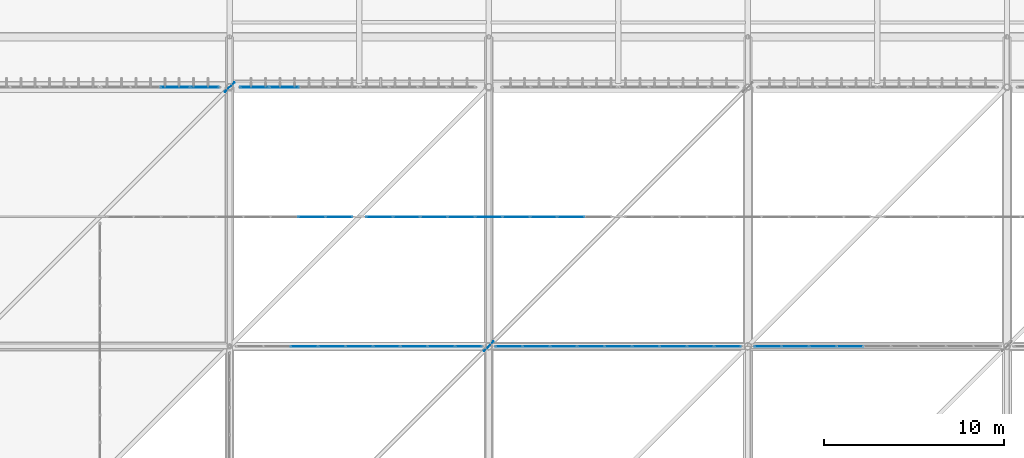
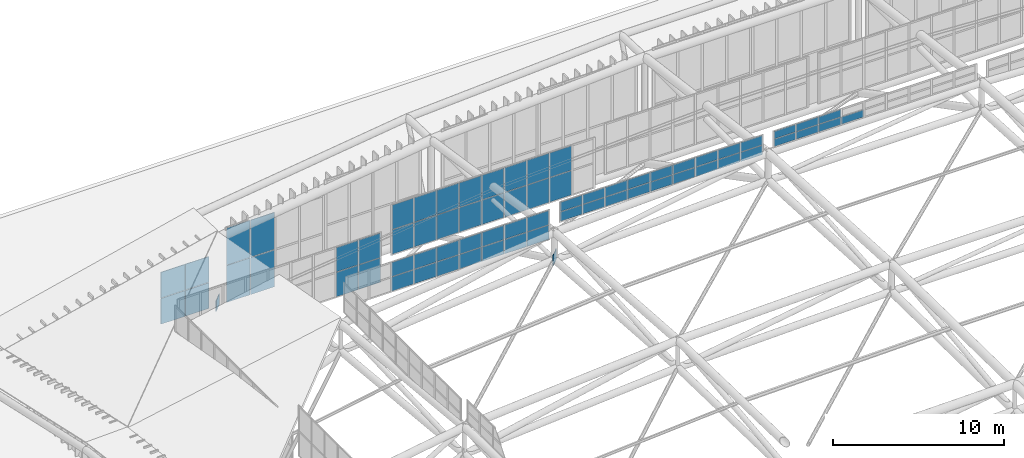
# One storey, part 376 of 397: 69 plates, 7 elements without a shape of their own.
"""IFC4 building model written with IfcOpenShell, lengths in metres."""

from ifc_helpers import new_model, si_unit, direction, frame, origin, origin_2d, place, context, subcontext, project, spatial, rectangle, extrude, material, layer, layer_set, type_object, element, aggregate, save


model = new_model("IFC4")

# Units and contexts
model_context = context("Model", 3, precision=1e-05, world=origin(), true_north=direction((0.0, 1.0)))
body_context = subcontext(model_context, "Body", "Model", "MODEL_VIEW")
ifc_project = project(units=[si_unit("LENGTHUNIT", "METRE"), si_unit("AREAUNIT", "SQUARE_METRE"), si_unit("VOLUMEUNIT", "CUBIC_METRE"), si_unit("PLANEANGLEUNIT", "RADIAN"), si_unit("MASSUNIT", "GRAM", prefix="KILO")], contexts=[model_context])

# Site, building, storey
site_placement = place(None, origin())
site = spatial("IfcSite", under=ifc_project, at=site_placement, CompositionType="ELEMENT")
building_placement = place(site_placement, origin())
building = spatial("IfcBuilding", under=site, at=building_placement, Name="Qandorah Velis Arena", CompositionType="ELEMENT")
storey_placement = place(building_placement, frame((0.0, 0.0, 27.5)))
storey = spatial("IfcBuildingStorey", under=building, at=storey_placement, Name="RF", CompositionType="ELEMENT", Elevation=27.5)

# Curtain wall, plates
ifc_material_1 = material(Name="Solar-control low-E double glazing", Category="glass")
curtain_wall_type_1 = type_object("IfcCurtainWallType", Name="ARC-CW-SYS01", PredefinedType="USERDEFINED", material=ifc_material_1)
curtain_wall_1_placement = place(storey_placement, origin())
curtain_wall_1 = element("IfcCurtainWall", 1, at=curtain_wall_1_placement, inside=storey, type_object=curtain_wall_type_1, Name="Unitised curtain wall MON-4-1", ObjectType="UNITISED CURTAIN WALL", PredefinedType="USERDEFINED")
ifc_layer_1 = layer(ifc_material_1, 0.030029296875)
ifc_layer_set_1 = layer_set([ifc_layer_1], Name="Solar-control low-E double glazing")
plate_type_1 = type_object("IfcPlateType", Name="ARC-CWP-GLZ30", PredefinedType="CURTAIN_PANEL", material=ifc_layer_set_1)
plate_1_placement = place(storey_placement, frame((33.36669921875, 108.0, 3.685546875), z_axis=(0.0, 0.0, 1.0), x_axis=(1.0, 0.0, 0.0)))
plate_1 = element("IfcPlate", 2, at=plate_1_placement, type_object=plate_type_1, Name="CW01 panel 8.1", PredefinedType="CURTAIN_PANEL", context=body_context, shape_type="SweptSolid", body=[
    extrude(rectangle(XDim=1.4873046875, YDim=0.030029296875, at=origin_2d()), origin(), (0.0, 0.0, 1.0), 1.737548828125),
])
plate_2_placement = place(storey_placement, frame((33.36669921875, 108.0, 5.45849609375), z_axis=(0.0, 0.0, 1.0), x_axis=(1.0, 0.0, 0.0)))
plate_2 = element("IfcPlate", 3, at=plate_2_placement, type_object=plate_type_1, Name="CW01 panel 8.2", PredefinedType="CURTAIN_PANEL", context=body_context, shape_type="SweptSolid", body=[
    extrude(rectangle(XDim=1.4873046875, YDim=0.030029296875, at=origin_2d()), origin(), (0.0, 0.0, 1.0), 1.737548828125),
])
plate_3_placement = place(storey_placement, frame((34.875244140625, 108.0, 3.685546875), z_axis=(0.0, 0.0, 1.0), x_axis=(1.0, 0.0, 0.0)))
plate_3 = element("IfcPlate", 4, at=plate_3_placement, type_object=plate_type_1, Name="CW01 panel 9.1", PredefinedType="CURTAIN_PANEL", context=body_context, shape_type="SweptSolid", body=[
    extrude(rectangle(XDim=1.459716796875, YDim=0.030029296875, at=origin_2d()), origin(), (0.0, 0.0, 1.0), 1.737548828125),
])
plate_4_placement = place(storey_placement, frame((34.875244140625, 108.0, 5.45849609375), z_axis=(0.0, 0.0, 1.0), x_axis=(1.0, 0.0, 0.0)))
plate_4 = element("IfcPlate", 5, at=plate_4_placement, type_object=plate_type_1, Name="CW01 panel 9.2", PredefinedType="CURTAIN_PANEL", context=body_context, shape_type="SweptSolid", body=[
    extrude(rectangle(XDim=1.459716796875, YDim=0.030029296875, at=origin_2d()), origin(), (0.0, 0.0, 1.0), 1.737548828125),
])
aggregate(curtain_wall_1, [plate_1, plate_2, plate_3, plate_4])

curtain_wall_type_2 = type_object("IfcCurtainWallType", Name="ARC-CW-SYS02", PredefinedType="USERDEFINED", material=ifc_material_1)
curtain_wall_2_placement = place(storey_placement, origin())
curtain_wall_2 = element("IfcCurtainWall", 6, at=curtain_wall_2_placement, inside=storey, type_object=curtain_wall_type_2, Name="Unitised curtain wall MON-4-2", ObjectType="UNITISED CURTAIN WALL", PredefinedType="USERDEFINED")
plate_5_placement = place(storey_placement, frame((37.124755859375, 108.0, 5.3974609375), z_axis=(0.0, 0.0, 1.0), x_axis=(1.0, 0.0, 0.0)))
plate_5 = element("IfcPlate", 7, at=plate_5_placement, type_object=plate_type_1, Name="CW02 panel 1.1", PredefinedType="CURTAIN_PANEL", context=body_context, shape_type="SweptSolid", body=[
    extrude(rectangle(XDim=1.459716796875, YDim=0.030029296875, at=origin_2d()), origin(), (0.0, 0.0, 1.0), 1.737548828125),
])
plate_6_placement = place(storey_placement, frame((37.124755859375, 108.0, 7.17041015625), z_axis=(0.0, 0.0, 1.0), x_axis=(1.0, 0.0, 0.0)))
plate_6 = element("IfcPlate", 8, at=plate_6_placement, type_object=plate_type_1, Name="CW02 panel 1.2", PredefinedType="CURTAIN_PANEL", context=body_context, shape_type="SweptSolid", body=[
    extrude(rectangle(XDim=1.459716796875, YDim=0.030029296875, at=origin_2d()), origin(), (0.0, 0.0, 1.0), 1.737548828125),
])
plate_7_placement = place(storey_placement, frame((38.63330078125, 108.0, 5.3974609375), z_axis=(0.0, 0.0, 1.0), x_axis=(1.0, 0.0, 0.0)))
plate_7 = element("IfcPlate", 9, at=plate_7_placement, type_object=plate_type_1, Name="CW02 panel 2.1", PredefinedType="CURTAIN_PANEL", context=body_context, shape_type="SweptSolid", body=[
    extrude(rectangle(XDim=1.4873046875, YDim=0.030029296875, at=origin_2d()), origin(), (0.0, 0.0, 1.0), 1.737548828125),
])
plate_8_placement = place(storey_placement, frame((38.63330078125, 108.0, 7.17041015625), z_axis=(0.0, 0.0, 1.0), x_axis=(1.0, 0.0, 0.0)))
plate_8 = element("IfcPlate", 10, at=plate_8_placement, type_object=plate_type_1, Name="CW02 panel 2.2", PredefinedType="CURTAIN_PANEL", context=body_context, shape_type="SweptSolid", body=[
    extrude(rectangle(XDim=1.4873046875, YDim=0.030029296875, at=origin_2d()), origin(), (0.0, 0.0, 1.0), 1.737548828125),
])
plate_9_placement = place(storey_placement, frame((40.155517578125, 108.0, 5.3974609375), z_axis=(0.0, 0.0, 1.0), x_axis=(1.0, 0.0, 0.0)))
plate_9 = element("IfcPlate", 11, at=plate_9_placement, type_object=plate_type_1, Name="CW02 panel 3.1", PredefinedType="CURTAIN_PANEL", context=body_context, shape_type="SweptSolid", body=[
    extrude(rectangle(XDim=1.4873046875, YDim=0.030029296875, at=origin_2d()), origin(), (0.0, 0.0, 1.0), 1.737548828125),
])
plate_10_placement = place(storey_placement, frame((40.155517578125, 108.0, 7.17041015625), z_axis=(0.0, 0.0, 1.0), x_axis=(1.0, 0.0, 0.0)))
plate_10 = element("IfcPlate", 12, at=plate_10_placement, type_object=plate_type_1, Name="CW02 panel 3.2", PredefinedType="CURTAIN_PANEL", context=body_context, shape_type="SweptSolid", body=[
    extrude(rectangle(XDim=1.4873046875, YDim=0.030029296875, at=origin_2d()), origin(), (0.0, 0.0, 1.0), 1.737548828125),
])
plate_11_placement = place(storey_placement, frame((41.677734375, 108.0, 5.3974609375), z_axis=(0.0, 0.0, 1.0), x_axis=(1.0, 0.0, 0.0)))
plate_11 = element("IfcPlate", 13, at=plate_11_placement, type_object=plate_type_1, Name="CW02 panel 4.1", PredefinedType="CURTAIN_PANEL", context=body_context, shape_type="SweptSolid", body=[
    extrude(rectangle(XDim=1.4873046875, YDim=0.030029296875, at=origin_2d()), origin(), (0.0, 0.0, 1.0), 1.737548828125),
])
plate_12_placement = place(storey_placement, frame((41.677734375, 108.0, 7.17041015625), z_axis=(0.0, 0.0, 1.0), x_axis=(1.0, 0.0, 0.0)))
plate_12 = element("IfcPlate", 14, at=plate_12_placement, type_object=plate_type_1, Name="CW02 panel 4.2", PredefinedType="CURTAIN_PANEL", context=body_context, shape_type="SweptSolid", body=[
    extrude(rectangle(XDim=1.4873046875, YDim=0.030029296875, at=origin_2d()), origin(), (0.0, 0.0, 1.0), 1.737548828125),
])
plate_13_placement = place(storey_placement, frame((43.199951171875, 108.0, 5.3974609375), z_axis=(0.0, 0.0, 1.0), x_axis=(1.0, 0.0, 0.0)))
plate_13 = element("IfcPlate", 15, at=plate_13_placement, type_object=plate_type_1, Name="CW02 panel 5.1", PredefinedType="CURTAIN_PANEL", context=body_context, shape_type="SweptSolid", body=[
    extrude(rectangle(XDim=1.4873046875, YDim=0.030029296875, at=origin_2d()), origin(), (0.0, 0.0, 1.0), 1.737548828125),
])
plate_14_placement = place(storey_placement, frame((43.199951171875, 108.0, 7.17041015625), z_axis=(0.0, 0.0, 1.0), x_axis=(1.0, 0.0, 0.0)))
plate_14 = element("IfcPlate", 16, at=plate_14_placement, type_object=plate_type_1, Name="CW02 panel 5.2", PredefinedType="CURTAIN_PANEL", context=body_context, shape_type="SweptSolid", body=[
    extrude(rectangle(XDim=1.4873046875, YDim=0.030029296875, at=origin_2d()), origin(), (0.0, 0.0, 1.0), 1.737548828125),
])
plate_15_placement = place(storey_placement, frame((44.72216796875, 108.0, 5.3974609375), z_axis=(0.0, 0.0, 1.0), x_axis=(1.0, 0.0, 0.0)))
plate_15 = element("IfcPlate", 17, at=plate_15_placement, type_object=plate_type_1, Name="CW02 panel 6.1", PredefinedType="CURTAIN_PANEL", context=body_context, shape_type="SweptSolid", body=[
    extrude(rectangle(XDim=1.4873046875, YDim=0.030029296875, at=origin_2d()), origin(), (0.0, 0.0, 1.0), 1.737548828125),
])
plate_16_placement = place(storey_placement, frame((44.72216796875, 108.0, 7.17041015625), z_axis=(0.0, 0.0, 1.0), x_axis=(1.0, 0.0, 0.0)))
plate_16 = element("IfcPlate", 18, at=plate_16_placement, type_object=plate_type_1, Name="CW02 panel 6.2", PredefinedType="CURTAIN_PANEL", context=body_context, shape_type="SweptSolid", body=[
    extrude(rectangle(XDim=1.4873046875, YDim=0.030029296875, at=origin_2d()), origin(), (0.0, 0.0, 1.0), 1.737548828125),
])
plate_17_placement = place(storey_placement, frame((46.244384765625, 108.0, 5.3974609375), z_axis=(0.0, 0.0, 1.0), x_axis=(1.0, 0.0, 0.0)))
plate_17 = element("IfcPlate", 19, at=plate_17_placement, type_object=plate_type_1, Name="CW02 panel 7.1", PredefinedType="CURTAIN_PANEL", context=body_context, shape_type="SweptSolid", body=[
    extrude(rectangle(XDim=1.4873046875, YDim=0.030029296875, at=origin_2d()), origin(), (0.0, 0.0, 1.0), 1.737548828125),
])
plate_18_placement = place(storey_placement, frame((46.244384765625, 108.0, 7.17041015625), z_axis=(0.0, 0.0, 1.0), x_axis=(1.0, 0.0, 0.0)))
plate_18 = element("IfcPlate", 20, at=plate_18_placement, type_object=plate_type_1, Name="CW02 panel 7.2", PredefinedType="CURTAIN_PANEL", context=body_context, shape_type="SweptSolid", body=[
    extrude(rectangle(XDim=1.4873046875, YDim=0.030029296875, at=origin_2d()), origin(), (0.0, 0.0, 1.0), 1.737548828125),
])
plate_19_placement = place(storey_placement, frame((47.7666015625, 108.0, 5.3974609375), z_axis=(0.0, 0.0, 1.0), x_axis=(1.0, 0.0, 0.0)))
plate_19 = element("IfcPlate", 21, at=plate_19_placement, type_object=plate_type_1, Name="CW02 panel 8.1", PredefinedType="CURTAIN_PANEL", context=body_context, shape_type="SweptSolid", body=[
    extrude(rectangle(XDim=1.4873046875, YDim=0.030029296875, at=origin_2d()), origin(), (0.0, 0.0, 1.0), 1.737548828125),
])
plate_20_placement = place(storey_placement, frame((47.7666015625, 108.0, 7.17041015625), z_axis=(0.0, 0.0, 1.0), x_axis=(1.0, 0.0, 0.0)))
plate_20 = element("IfcPlate", 22, at=plate_20_placement, type_object=plate_type_1, Name="CW02 panel 8.2", PredefinedType="CURTAIN_PANEL", context=body_context, shape_type="SweptSolid", body=[
    extrude(rectangle(XDim=1.4873046875, YDim=0.030029296875, at=origin_2d()), origin(), (0.0, 0.0, 1.0), 1.737548828125),
])
aggregate(curtain_wall_2, [plate_5, plate_6, plate_7, plate_8, plate_9, plate_10, plate_11, plate_12, plate_13, plate_14, plate_15, plate_16, plate_17, plate_18, plate_19, plate_20])

curtain_wall_type_3 = type_object("IfcCurtainWallType", Name="ARC-CW-SYS21", PredefinedType="USERDEFINED", material=ifc_material_1)
curtain_wall_3_placement = place(storey_placement, origin())
curtain_wall_3 = element("IfcCurtainWall", 23, at=curtain_wall_3_placement, inside=storey, type_object=curtain_wall_type_3, Name="Unitised curtain wall OCULUS-4-1", ObjectType="UNITISED CURTAIN WALL", PredefinedType="USERDEFINED")
plate_21_placement = place(storey_placement, frame((32.95556640625, 100.800048828125, 8.59521484375), z_axis=(0.0, 0.0, 1.0), x_axis=(1.0, 0.0, 0.0)))
plate_21 = element("IfcPlate", 24, at=plate_21_placement, type_object=plate_type_1, Name="CW21 panel 3.1", PredefinedType="CURTAIN_PANEL", context=body_context, shape_type="SweptSolid", body=[
    extrude(rectangle(XDim=1.4873046875, YDim=0.030029296875, at=origin_2d()), origin(), (0.0, 0.0, 1.0), 1.012451171875),
])
plate_22_placement = place(storey_placement, frame((32.95556640625, 100.800048828125, 9.642578125), z_axis=(0.0, 0.0, 1.0), x_axis=(1.0, 0.0, 0.0)))
plate_22 = element("IfcPlate", 25, at=plate_22_placement, type_object=plate_type_1, Name="CW21 panel 3.2", PredefinedType="CURTAIN_PANEL", context=body_context, shape_type="SweptSolid", body=[
    extrude(rectangle(XDim=1.4873046875, YDim=0.030029296875, at=origin_2d()), origin(), (0.0, 0.0, 1.0), 1.012451171875),
])
plate_23_placement = place(storey_placement, frame((34.477783203125, 100.800048828125, 8.59521484375), z_axis=(0.0, 0.0, 1.0), x_axis=(1.0, 0.0, 0.0)))
plate_23 = element("IfcPlate", 26, at=plate_23_placement, type_object=plate_type_1, Name="CW21 panel 4.1", PredefinedType="CURTAIN_PANEL", context=body_context, shape_type="SweptSolid", body=[
    extrude(rectangle(XDim=1.4873046875, YDim=0.030029296875, at=origin_2d()), origin(), (0.0, 0.0, 1.0), 1.012451171875),
])
plate_24_placement = place(storey_placement, frame((34.477783203125, 100.800048828125, 9.642578125), z_axis=(0.0, 0.0, 1.0), x_axis=(1.0, 0.0, 0.0)))
plate_24 = element("IfcPlate", 27, at=plate_24_placement, type_object=plate_type_1, Name="CW21 panel 4.2", PredefinedType="CURTAIN_PANEL", context=body_context, shape_type="SweptSolid", body=[
    extrude(rectangle(XDim=1.4873046875, YDim=0.030029296875, at=origin_2d()), origin(), (0.0, 0.0, 1.0), 1.012451171875),
])
plate_25_placement = place(storey_placement, frame((36.0, 100.800048828125, 8.59521484375), z_axis=(0.0, 0.0, 1.0), x_axis=(1.0, 0.0, 0.0)))
plate_25 = element("IfcPlate", 28, at=plate_25_placement, type_object=plate_type_1, Name="CW21 panel 5.1", PredefinedType="CURTAIN_PANEL", context=body_context, shape_type="SweptSolid", body=[
    extrude(rectangle(XDim=1.4873046875, YDim=0.030029296875, at=origin_2d()), origin(), (0.0, 0.0, 1.0), 1.012451171875),
])
plate_26_placement = place(storey_placement, frame((36.0, 100.800048828125, 9.642578125), z_axis=(0.0, 0.0, 1.0), x_axis=(1.0, 0.0, 0.0)))
plate_26 = element("IfcPlate", 29, at=plate_26_placement, type_object=plate_type_1, Name="CW21 panel 5.2", PredefinedType="CURTAIN_PANEL", context=body_context, shape_type="SweptSolid", body=[
    extrude(rectangle(XDim=1.4873046875, YDim=0.030029296875, at=origin_2d()), origin(), (0.0, 0.0, 1.0), 1.012451171875),
])
plate_27_placement = place(storey_placement, frame((37.522216796875, 100.800048828125, 8.59521484375), z_axis=(0.0, 0.0, 1.0), x_axis=(1.0, 0.0, 0.0)))
plate_27 = element("IfcPlate", 30, at=plate_27_placement, type_object=plate_type_1, Name="CW21 panel 6.1", PredefinedType="CURTAIN_PANEL", context=body_context, shape_type="SweptSolid", body=[
    extrude(rectangle(XDim=1.4873046875, YDim=0.030029296875, at=origin_2d()), origin(), (0.0, 0.0, 1.0), 1.012451171875),
])
plate_28_placement = place(storey_placement, frame((37.522216796875, 100.800048828125, 9.642578125), z_axis=(0.0, 0.0, 1.0), x_axis=(1.0, 0.0, 0.0)))
plate_28 = element("IfcPlate", 31, at=plate_28_placement, type_object=plate_type_1, Name="CW21 panel 6.2", PredefinedType="CURTAIN_PANEL", context=body_context, shape_type="SweptSolid", body=[
    extrude(rectangle(XDim=1.4873046875, YDim=0.030029296875, at=origin_2d()), origin(), (0.0, 0.0, 1.0), 1.012451171875),
])
plate_29_placement = place(storey_placement, frame((39.04443359375, 100.800048828125, 8.59521484375), z_axis=(0.0, 0.0, 1.0), x_axis=(1.0, 0.0, 0.0)))
plate_29 = element("IfcPlate", 32, at=plate_29_placement, type_object=plate_type_1, Name="CW21 panel 7.1", PredefinedType="CURTAIN_PANEL", context=body_context, shape_type="SweptSolid", body=[
    extrude(rectangle(XDim=1.4873046875, YDim=0.030029296875, at=origin_2d()), origin(), (0.0, 0.0, 1.0), 1.012451171875),
])
plate_30_placement = place(storey_placement, frame((39.04443359375, 100.800048828125, 9.642578125), z_axis=(0.0, 0.0, 1.0), x_axis=(1.0, 0.0, 0.0)))
plate_30 = element("IfcPlate", 33, at=plate_30_placement, type_object=plate_type_1, Name="CW21 panel 7.2", PredefinedType="CURTAIN_PANEL", context=body_context, shape_type="SweptSolid", body=[
    extrude(rectangle(XDim=1.4873046875, YDim=0.030029296875, at=origin_2d()), origin(), (0.0, 0.0, 1.0), 1.012451171875),
])
plate_31_placement = place(storey_placement, frame((40.566650390625, 100.800048828125, 8.59521484375), z_axis=(0.0, 0.0, 1.0), x_axis=(1.0, 0.0, 0.0)))
plate_31 = element("IfcPlate", 34, at=plate_31_placement, type_object=plate_type_1, Name="CW21 panel 8.1", PredefinedType="CURTAIN_PANEL", context=body_context, shape_type="SweptSolid", body=[
    extrude(rectangle(XDim=1.4873046875, YDim=0.030029296875, at=origin_2d()), origin(), (0.0, 0.0, 1.0), 1.012451171875),
])
plate_32_placement = place(storey_placement, frame((40.566650390625, 100.800048828125, 9.642578125), z_axis=(0.0, 0.0, 1.0), x_axis=(1.0, 0.0, 0.0)))
plate_32 = element("IfcPlate", 35, at=plate_32_placement, type_object=plate_type_1, Name="CW21 panel 8.2", PredefinedType="CURTAIN_PANEL", context=body_context, shape_type="SweptSolid", body=[
    extrude(rectangle(XDim=1.4873046875, YDim=0.030029296875, at=origin_2d()), origin(), (0.0, 0.0, 1.0), 1.012451171875),
])
plate_33_placement = place(storey_placement, frame((42.0751953125, 100.800048828125, 8.59521484375), z_axis=(0.0, 0.0, 1.0), x_axis=(1.0, 0.0, 0.0)))
plate_33 = element("IfcPlate", 36, at=plate_33_placement, type_object=plate_type_1, Name="CW21 panel 9.1", PredefinedType="CURTAIN_PANEL", context=body_context, shape_type="SweptSolid", body=[
    extrude(rectangle(XDim=1.459716796875, YDim=0.030029296875, at=origin_2d()), origin(), (0.0, 0.0, 1.0), 1.012451171875),
])
plate_34_placement = place(storey_placement, frame((42.0751953125, 100.800048828125, 9.642578125), z_axis=(0.0, 0.0, 1.0), x_axis=(1.0, 0.0, 0.0)))
plate_34 = element("IfcPlate", 37, at=plate_34_placement, type_object=plate_type_1, Name="CW21 panel 9.2", PredefinedType="CURTAIN_PANEL", context=body_context, shape_type="SweptSolid", body=[
    extrude(rectangle(XDim=1.459716796875, YDim=0.030029296875, at=origin_2d()), origin(), (0.0, 0.0, 1.0), 1.012451171875),
])
aggregate(curtain_wall_3, [plate_21, plate_22, plate_23, plate_24, plate_25, plate_26, plate_27, plate_28, plate_29, plate_30, plate_31, plate_32, plate_33, plate_34])

curtain_wall_type_4 = type_object("IfcCurtainWallType", Name="ARC-CW-SYS22", PredefinedType="USERDEFINED", material=ifc_material_1)
curtain_wall_4_placement = place(storey_placement, origin())
curtain_wall_4 = element("IfcCurtainWall", 38, at=curtain_wall_4_placement, inside=storey, type_object=curtain_wall_type_4, Name="Unitised curtain wall OCULUS-4-2", ObjectType="UNITISED CURTAIN WALL", PredefinedType="USERDEFINED")
plate_35_placement = place(storey_placement, frame((44.324951171875, 100.800048828125, 9.593994140625), z_axis=(0.0, 0.0, 1.0), x_axis=(1.0, 0.0, 0.0)))
plate_35 = element("IfcPlate", 39, at=plate_35_placement, type_object=plate_type_1, Name="CW22 panel 1.1", PredefinedType="CURTAIN_PANEL", context=body_context, shape_type="SweptSolid", body=[
    extrude(rectangle(XDim=1.459716796875, YDim=0.030029296875, at=origin_2d()), origin(), (0.0, 0.0, 1.0), 0.6630859375),
])
plate_36_placement = place(storey_placement, frame((44.324951171875, 100.800048828125, 10.2919921875), z_axis=(0.0, 0.0, 1.0), x_axis=(1.0, 0.0, 0.0)))
plate_36 = element("IfcPlate", 40, at=plate_36_placement, type_object=plate_type_1, Name="CW22 panel 1.2", PredefinedType="CURTAIN_PANEL", context=body_context, shape_type="SweptSolid", body=[
    extrude(rectangle(XDim=1.459716796875, YDim=0.030029296875, at=origin_2d()), origin(), (0.0, 0.0, 1.0), 0.662841796875),
])
plate_37_placement = place(storey_placement, frame((45.833251953125, 100.800048828125, 9.593994140625), z_axis=(0.0, 0.0, 1.0), x_axis=(1.0, 0.0, 0.0)))
plate_37 = element("IfcPlate", 41, at=plate_37_placement, type_object=plate_type_1, Name="CW22 panel 2.1", PredefinedType="CURTAIN_PANEL", context=body_context, shape_type="SweptSolid", body=[
    extrude(rectangle(XDim=1.4873046875, YDim=0.030029296875, at=origin_2d()), origin(), (0.0, 0.0, 1.0), 0.6630859375),
])
plate_38_placement = place(storey_placement, frame((45.833251953125, 100.800048828125, 10.2919921875), z_axis=(0.0, 0.0, 1.0), x_axis=(1.0, 0.0, 0.0)))
plate_38 = element("IfcPlate", 42, at=plate_38_placement, type_object=plate_type_1, Name="CW22 panel 2.2", PredefinedType="CURTAIN_PANEL", context=body_context, shape_type="SweptSolid", body=[
    extrude(rectangle(XDim=1.4873046875, YDim=0.030029296875, at=origin_2d()), origin(), (0.0, 0.0, 1.0), 0.662841796875),
])
plate_39_placement = place(storey_placement, frame((47.35546875, 100.800048828125, 9.593994140625), z_axis=(0.0, 0.0, 1.0), x_axis=(1.0, 0.0, 0.0)))
plate_39 = element("IfcPlate", 43, at=plate_39_placement, type_object=plate_type_1, Name="CW22 panel 3.1", PredefinedType="CURTAIN_PANEL", context=body_context, shape_type="SweptSolid", body=[
    extrude(rectangle(XDim=1.4873046875, YDim=0.030029296875, at=origin_2d()), origin(), (0.0, 0.0, 1.0), 0.6630859375),
])
plate_40_placement = place(storey_placement, frame((47.35546875, 100.800048828125, 10.2919921875), z_axis=(0.0, 0.0, 1.0), x_axis=(1.0, 0.0, 0.0)))
plate_40 = element("IfcPlate", 44, at=plate_40_placement, type_object=plate_type_1, Name="CW22 panel 3.2", PredefinedType="CURTAIN_PANEL", context=body_context, shape_type="SweptSolid", body=[
    extrude(rectangle(XDim=1.4873046875, YDim=0.030029296875, at=origin_2d()), origin(), (0.0, 0.0, 1.0), 0.662841796875),
])
plate_41_placement = place(storey_placement, frame((48.877685546875, 100.800048828125, 9.593994140625), z_axis=(0.0, 0.0, 1.0), x_axis=(1.0, 0.0, 0.0)))
plate_41 = element("IfcPlate", 45, at=plate_41_placement, type_object=plate_type_1, Name="CW22 panel 4.1", PredefinedType="CURTAIN_PANEL", context=body_context, shape_type="SweptSolid", body=[
    extrude(rectangle(XDim=1.4873046875, YDim=0.030029296875, at=origin_2d()), origin(), (0.0, 0.0, 1.0), 0.6630859375),
])
plate_42_placement = place(storey_placement, frame((48.877685546875, 100.800048828125, 10.2919921875), z_axis=(0.0, 0.0, 1.0), x_axis=(1.0, 0.0, 0.0)))
plate_42 = element("IfcPlate", 46, at=plate_42_placement, type_object=plate_type_1, Name="CW22 panel 4.2", PredefinedType="CURTAIN_PANEL", context=body_context, shape_type="SweptSolid", body=[
    extrude(rectangle(XDim=1.4873046875, YDim=0.030029296875, at=origin_2d()), origin(), (0.0, 0.0, 1.0), 0.662841796875),
])
plate_43_placement = place(storey_placement, frame((50.39990234375, 100.800048828125, 9.593994140625), z_axis=(0.0, 0.0, 1.0), x_axis=(1.0, 0.0, 0.0)))
plate_43 = element("IfcPlate", 47, at=plate_43_placement, type_object=plate_type_1, Name="CW22 panel 5.1", PredefinedType="CURTAIN_PANEL", context=body_context, shape_type="SweptSolid", body=[
    extrude(rectangle(XDim=1.4873046875, YDim=0.030029296875, at=origin_2d()), origin(), (0.0, 0.0, 1.0), 0.6630859375),
])
plate_44_placement = place(storey_placement, frame((50.39990234375, 100.800048828125, 10.2919921875), z_axis=(0.0, 0.0, 1.0), x_axis=(1.0, 0.0, 0.0)))
plate_44 = element("IfcPlate", 48, at=plate_44_placement, type_object=plate_type_1, Name="CW22 panel 5.2", PredefinedType="CURTAIN_PANEL", context=body_context, shape_type="SweptSolid", body=[
    extrude(rectangle(XDim=1.4873046875, YDim=0.030029296875, at=origin_2d()), origin(), (0.0, 0.0, 1.0), 0.662841796875),
])
plate_45_placement = place(storey_placement, frame((51.922119140625, 100.800048828125, 9.593994140625), z_axis=(0.0, 0.0, 1.0), x_axis=(1.0, 0.0, 0.0)))
plate_45 = element("IfcPlate", 49, at=plate_45_placement, type_object=plate_type_1, Name="CW22 panel 6.1", PredefinedType="CURTAIN_PANEL", context=body_context, shape_type="SweptSolid", body=[
    extrude(rectangle(XDim=1.4873046875, YDim=0.030029296875, at=origin_2d()), origin(), (0.0, 0.0, 1.0), 0.6630859375),
])
plate_46_placement = place(storey_placement, frame((51.922119140625, 100.800048828125, 10.2919921875), z_axis=(0.0, 0.0, 1.0), x_axis=(1.0, 0.0, 0.0)))
plate_46 = element("IfcPlate", 50, at=plate_46_placement, type_object=plate_type_1, Name="CW22 panel 6.2", PredefinedType="CURTAIN_PANEL", context=body_context, shape_type="SweptSolid", body=[
    extrude(rectangle(XDim=1.4873046875, YDim=0.030029296875, at=origin_2d()), origin(), (0.0, 0.0, 1.0), 0.662841796875),
])
plate_47_placement = place(storey_placement, frame((53.4443359375, 100.800048828125, 9.593994140625), z_axis=(0.0, 0.0, 1.0), x_axis=(1.0, 0.0, 0.0)))
plate_47 = element("IfcPlate", 51, at=plate_47_placement, type_object=plate_type_1, Name="CW22 panel 7.1", PredefinedType="CURTAIN_PANEL", context=body_context, shape_type="SweptSolid", body=[
    extrude(rectangle(XDim=1.4873046875, YDim=0.030029296875, at=origin_2d()), origin(), (0.0, 0.0, 1.0), 0.6630859375),
])
plate_48_placement = place(storey_placement, frame((53.4443359375, 100.800048828125, 10.2919921875), z_axis=(0.0, 0.0, 1.0), x_axis=(1.0, 0.0, 0.0)))
plate_48 = element("IfcPlate", 52, at=plate_48_placement, type_object=plate_type_1, Name="CW22 panel 7.2", PredefinedType="CURTAIN_PANEL", context=body_context, shape_type="SweptSolid", body=[
    extrude(rectangle(XDim=1.4873046875, YDim=0.030029296875, at=origin_2d()), origin(), (0.0, 0.0, 1.0), 0.662841796875),
])
plate_49_placement = place(storey_placement, frame((54.966552734375, 100.800048828125, 9.593994140625), z_axis=(0.0, 0.0, 1.0), x_axis=(1.0, 0.0, 0.0)))
plate_49 = element("IfcPlate", 53, at=plate_49_placement, type_object=plate_type_1, Name="CW22 panel 8.1", PredefinedType="CURTAIN_PANEL", context=body_context, shape_type="SweptSolid", body=[
    extrude(rectangle(XDim=1.4873046875, YDim=0.030029296875, at=origin_2d()), origin(), (0.0, 0.0, 1.0), 0.6630859375),
])
plate_50_placement = place(storey_placement, frame((54.966552734375, 100.800048828125, 10.2919921875), z_axis=(0.0, 0.0, 1.0), x_axis=(1.0, 0.0, 0.0)))
plate_50 = element("IfcPlate", 54, at=plate_50_placement, type_object=plate_type_1, Name="CW22 panel 8.2", PredefinedType="CURTAIN_PANEL", context=body_context, shape_type="SweptSolid", body=[
    extrude(rectangle(XDim=1.4873046875, YDim=0.030029296875, at=origin_2d()), origin(), (0.0, 0.0, 1.0), 0.662841796875),
])
plate_51_placement = place(storey_placement, frame((56.47509765625, 100.800048828125, 9.593994140625), z_axis=(0.0, 0.0, 1.0), x_axis=(1.0, 0.0, 0.0)))
plate_51 = element("IfcPlate", 55, at=plate_51_placement, type_object=plate_type_1, Name="CW22 panel 9.1", PredefinedType="CURTAIN_PANEL", context=body_context, shape_type="SweptSolid", body=[
    extrude(rectangle(XDim=1.459716796875, YDim=0.030029296875, at=origin_2d()), origin(), (0.0, 0.0, 1.0), 0.6630859375),
])
plate_52_placement = place(storey_placement, frame((56.47509765625, 100.800048828125, 10.2919921875), z_axis=(0.0, 0.0, 1.0), x_axis=(1.0, 0.0, 0.0)))
plate_52 = element("IfcPlate", 56, at=plate_52_placement, type_object=plate_type_1, Name="CW22 panel 9.2", PredefinedType="CURTAIN_PANEL", context=body_context, shape_type="SweptSolid", body=[
    extrude(rectangle(XDim=1.459716796875, YDim=0.030029296875, at=origin_2d()), origin(), (0.0, 0.0, 1.0), 0.662841796875),
])
aggregate(curtain_wall_4, [plate_35, plate_36, plate_37, plate_38, plate_39, plate_40, plate_41, plate_42, plate_43, plate_44, plate_45, plate_46, plate_47, plate_48, plate_49, plate_50, plate_51, plate_52])

curtain_wall_type_5 = type_object("IfcCurtainWallType", Name="ARC-CW-SYS23", PredefinedType="USERDEFINED", material=ifc_material_1)
curtain_wall_5_placement = place(storey_placement, origin())
curtain_wall_5 = element("IfcCurtainWall", 57, at=curtain_wall_5_placement, inside=storey, type_object=curtain_wall_type_5, Name="Unitised curtain wall OCULUS-4-3", ObjectType="UNITISED CURTAIN WALL", PredefinedType="USERDEFINED")
plate_53_placement = place(storey_placement, frame((58.724853515625, 100.800048828125, 9.87646484375), z_axis=(0.0, 0.0, 1.0), x_axis=(1.0, 0.0, 0.0)))
plate_53 = element("IfcPlate", 58, at=plate_53_placement, type_object=plate_type_1, Name="CW23 panel 1.1", PredefinedType="CURTAIN_PANEL", context=body_context, shape_type="SweptSolid", body=[
    extrude(rectangle(XDim=1.459716796875, YDim=0.030029296875, at=origin_2d()), origin(), (0.0, 0.0, 1.0), 0.521728515625),
])
plate_54_placement = place(storey_placement, frame((58.724853515625, 100.800048828125, 10.43310546875), z_axis=(0.0, 0.0, 1.0), x_axis=(1.0, 0.0, 0.0)))
plate_54 = element("IfcPlate", 59, at=plate_54_placement, type_object=plate_type_1, Name="CW23 panel 1.2", PredefinedType="CURTAIN_PANEL", context=body_context, shape_type="SweptSolid", body=[
    extrude(rectangle(XDim=1.459716796875, YDim=0.030029296875, at=origin_2d()), origin(), (0.0, 0.0, 1.0), 0.521728515625),
])
plate_55_placement = place(storey_placement, frame((60.2333984375, 100.800048828125, 9.87646484375), z_axis=(0.0, 0.0, 1.0), x_axis=(1.0, 0.0, 0.0)))
plate_55 = element("IfcPlate", 60, at=plate_55_placement, type_object=plate_type_1, Name="CW23 panel 2.1", PredefinedType="CURTAIN_PANEL", context=body_context, shape_type="SweptSolid", body=[
    extrude(rectangle(XDim=1.4873046875, YDim=0.030029296875, at=origin_2d()), origin(), (0.0, 0.0, 1.0), 0.521728515625),
])
plate_56_placement = place(storey_placement, frame((60.2333984375, 100.800048828125, 10.43310546875), z_axis=(0.0, 0.0, 1.0), x_axis=(1.0, 0.0, 0.0)))
plate_56 = element("IfcPlate", 61, at=plate_56_placement, type_object=plate_type_1, Name="CW23 panel 2.2", PredefinedType="CURTAIN_PANEL", context=body_context, shape_type="SweptSolid", body=[
    extrude(rectangle(XDim=1.4873046875, YDim=0.030029296875, at=origin_2d()), origin(), (0.0, 0.0, 1.0), 0.521728515625),
])
plate_57_placement = place(storey_placement, frame((61.755615234375, 100.800048828125, 9.87646484375), z_axis=(0.0, 0.0, 1.0), x_axis=(1.0, 0.0, 0.0)))
plate_57 = element("IfcPlate", 62, at=plate_57_placement, type_object=plate_type_1, Name="CW23 panel 3.1", PredefinedType="CURTAIN_PANEL", context=body_context, shape_type="SweptSolid", body=[
    extrude(rectangle(XDim=1.4873046875, YDim=0.030029296875, at=origin_2d()), origin(), (0.0, 0.0, 1.0), 0.521728515625),
])
plate_58_placement = place(storey_placement, frame((61.755615234375, 100.800048828125, 10.43310546875), z_axis=(0.0, 0.0, 1.0), x_axis=(1.0, 0.0, 0.0)))
plate_58 = element("IfcPlate", 63, at=plate_58_placement, type_object=plate_type_1, Name="CW23 panel 3.2", PredefinedType="CURTAIN_PANEL", context=body_context, shape_type="SweptSolid", body=[
    extrude(rectangle(XDim=1.4873046875, YDim=0.030029296875, at=origin_2d()), origin(), (0.0, 0.0, 1.0), 0.521728515625),
])
plate_59_placement = place(storey_placement, frame((63.27783203125, 100.800048828125, 9.87646484375), z_axis=(0.0, 0.0, 1.0), x_axis=(1.0, 0.0, 0.0)))
plate_59 = element("IfcPlate", 64, at=plate_59_placement, type_object=plate_type_1, Name="CW23 panel 4.1", PredefinedType="CURTAIN_PANEL", context=body_context, shape_type="SweptSolid", body=[
    extrude(rectangle(XDim=1.4873046875, YDim=0.030029296875, at=origin_2d()), origin(), (0.0, 0.0, 1.0), 0.521728515625),
])
aggregate(curtain_wall_5, [plate_53, plate_54, plate_55, plate_56, plate_57, plate_58, plate_59])

curtain_wall_6_placement = place(storey_placement, origin())
curtain_wall_6 = element("IfcCurtainWall", 65, at=curtain_wall_6_placement, inside=storey, type_object=curtain_wall_type_2, Name="Unitised curtain wall CROWN-4-01S2", ObjectType="UNITISED CURTAIN WALL", PredefinedType="USERDEFINED")
ifc_layer_2 = layer(ifc_material_1, 0.035888671875)
ifc_layer_set_2 = layer_set([ifc_layer_2], Name="Solar-control low-E double glazing")
plate_type_2 = type_object("IfcPlateType", Name="ARC-CWP-GLZ36", PredefinedType="CURTAIN_PANEL", material=ifc_layer_set_2)
plate_60_placement = place(storey_placement, frame((25.771240234375, 115.199951171875, 0.0498046875), z_axis=(0.0, 0.0, 1.0), x_axis=(1.0, 0.0, 0.0)))
plate_60 = element("IfcPlate", 66, at=plate_60_placement, type_object=plate_type_2, Name="CW02 panel 3.1", PredefinedType="CURTAIN_PANEL", context=body_context, shape_type="SweptSolid", body=[
    extrude(rectangle(XDim=1.612548828125, YDim=0.035888671875, at=origin_2d()), origin(), (0.0, 0.0, 1.0), 1.832275390625),
])
plate_61_placement = place(storey_placement, frame((25.771240234375, 115.199951171875, 1.92236328125), z_axis=(0.0, 0.0, 1.0), x_axis=(1.0, 0.0, 0.0)))
plate_61 = element("IfcPlate", 67, at=plate_61_placement, type_object=plate_type_2, Name="CW02 panel 3.2", PredefinedType="CURTAIN_PANEL", context=body_context, shape_type="SweptSolid", body=[
    extrude(rectangle(XDim=1.612548828125, YDim=0.035888671875, at=origin_2d()), origin(), (0.0, 0.0, 1.0), 1.832275390625),
])
plate_62_placement = place(storey_placement, frame((27.40869140625, 115.199951171875, 0.0498046875), z_axis=(0.0, 0.0, 1.0), x_axis=(1.0, 0.0, 0.0)))
plate_62 = element("IfcPlate", 68, at=plate_62_placement, type_object=plate_type_2, Name="CW02 panel 4.1", PredefinedType="CURTAIN_PANEL", context=body_context, shape_type="SweptSolid", body=[
    extrude(rectangle(XDim=1.58251953125, YDim=0.035888671875, at=origin_2d()), origin(), (0.0, 0.0, 1.0), 1.832275390625),
])
plate_63_placement = place(storey_placement, frame((27.40869140625, 115.199951171875, 1.92236328125), z_axis=(0.0, 0.0, 1.0), x_axis=(1.0, 0.0, 0.0)))
plate_63 = element("IfcPlate", 69, at=plate_63_placement, type_object=plate_type_2, Name="CW02 panel 4.2", PredefinedType="CURTAIN_PANEL", context=body_context, shape_type="SweptSolid", body=[
    extrude(rectangle(XDim=1.58251953125, YDim=0.035888671875, at=origin_2d()), origin(), (0.0, 0.0, 1.0), 1.832275390625),
])
aggregate(curtain_wall_6, [plate_60, plate_61, plate_62, plate_63])

curtain_wall_7_placement = place(storey_placement, origin())
curtain_wall_7 = element("IfcCurtainWall", 70, at=curtain_wall_7_placement, inside=storey, type_object=curtain_wall_type_2, Name="Unitised curtain wall CROWN-4-02S1", ObjectType="UNITISED CURTAIN WALL", PredefinedType="USERDEFINED")
plate_64_placement = place(storey_placement, frame((30.191162109375, 115.199951171875, 0.0498046875), z_axis=(0.0, 0.0, 1.0), x_axis=(1.0, 0.0, 0.0)))
plate_64 = element("IfcPlate", 71, at=plate_64_placement, type_object=plate_type_2, Name="CW02 panel 1.1", PredefinedType="CURTAIN_PANEL", context=body_context, shape_type="SweptSolid", body=[
    extrude(rectangle(XDim=1.58251953125, YDim=0.035888671875, at=origin_2d()), origin(), (0.0, 0.0, 1.0), 2.630615234375),
])
plate_65_placement = place(storey_placement, frame((30.191162109375, 115.199951171875, 2.720458984375), z_axis=(0.0, 0.0, 1.0), x_axis=(1.0, 0.0, 0.0)))
plate_65 = element("IfcPlate", 72, at=plate_65_placement, type_object=plate_type_2, Name="CW02 panel 1.2", PredefinedType="CURTAIN_PANEL", context=body_context, shape_type="SweptSolid", body=[
    extrude(rectangle(XDim=1.58251953125, YDim=0.035888671875, at=origin_2d()), origin(), (0.0, 0.0, 1.0), 2.63037109375),
])
plate_66_placement = place(storey_placement, frame((31.828857421875, 115.199951171875, 0.0498046875), z_axis=(0.0, 0.0, 1.0), x_axis=(1.0, 0.0, 0.0)))
plate_66 = element("IfcPlate", 73, at=plate_66_placement, type_object=plate_type_2, Name="CW02 panel 2.1", PredefinedType="CURTAIN_PANEL", context=body_context, shape_type="SweptSolid", body=[
    extrude(rectangle(XDim=1.612548828125, YDim=0.035888671875, at=origin_2d()), origin(), (0.0, 0.0, 1.0), 2.630615234375),
])
plate_67_placement = place(storey_placement, frame((31.828857421875, 115.199951171875, 2.720458984375), z_axis=(0.0, 0.0, 1.0), x_axis=(1.0, 0.0, 0.0)))
plate_67 = element("IfcPlate", 74, at=plate_67_placement, type_object=plate_type_2, Name="CW02 panel 2.2", PredefinedType="CURTAIN_PANEL", context=body_context, shape_type="SweptSolid", body=[
    extrude(rectangle(XDim=1.612548828125, YDim=0.035888671875, at=origin_2d()), origin(), (0.0, 0.0, 1.0), 2.63037109375),
])
aggregate(curtain_wall_7, [plate_64, plate_65, plate_66, plate_67])

# Plates
ifc_material_2 = material(Name="Steel S355", Category="steel")
ifc_layer_3 = layer(ifc_material_2, 0.0400390625)
ifc_layer_set_3 = layer_set([ifc_layer_3], Name="Steel S355")
plate_type_3 = type_object("IfcPlateType", Name="STR-PLT-GUS40", PredefinedType="SHEET", material=ifc_layer_set_3)
for number, where, z_axis, x_axis, name in (
    (75, (28.800048828125, 115.199951171875, -0.125), (0.0, 0.0, 1.0), (0.707106781187, 0.707106781187, 0.0), "Space frame gusset plate 1.7"),
    (76, (43.199951171875, 100.800048828125, 6.784423828125), (0.0, 0.0, 1.0), (0.707106781187, 0.707106781187, 0.0), "Space frame gusset plate 2.6"),
):
    element("IfcPlate", number, at=place(storey_placement, frame(where, z_axis=z_axis, x_axis=x_axis)), inside=storey, type_object=plate_type_3, Name=name, PredefinedType="SHEET", context=body_context, shape_type="SweptSolid", body=[
        extrude(rectangle(XDim=0.75, YDim=0.0400390625, at=origin_2d()), origin(), (0.0, 0.0, 1.0), 0.75),
    ])

save(model, "model.ifc")
